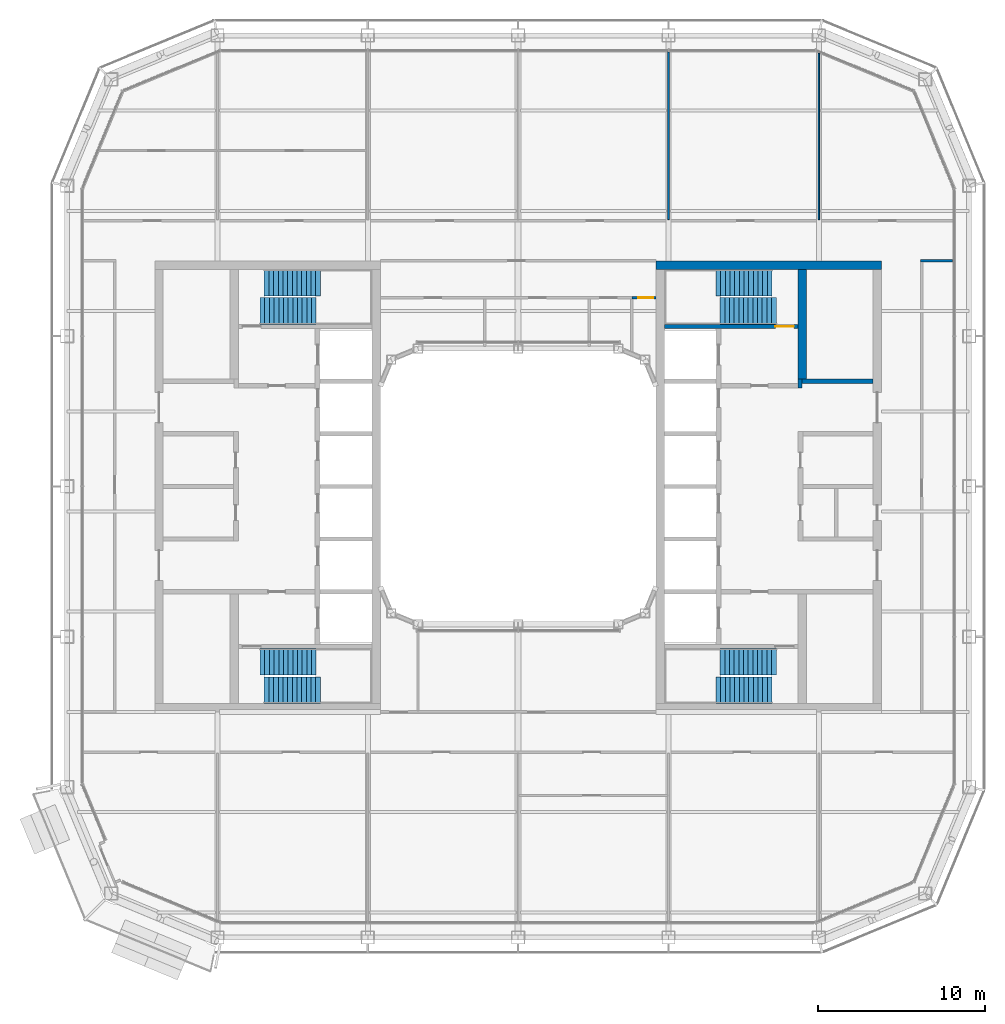
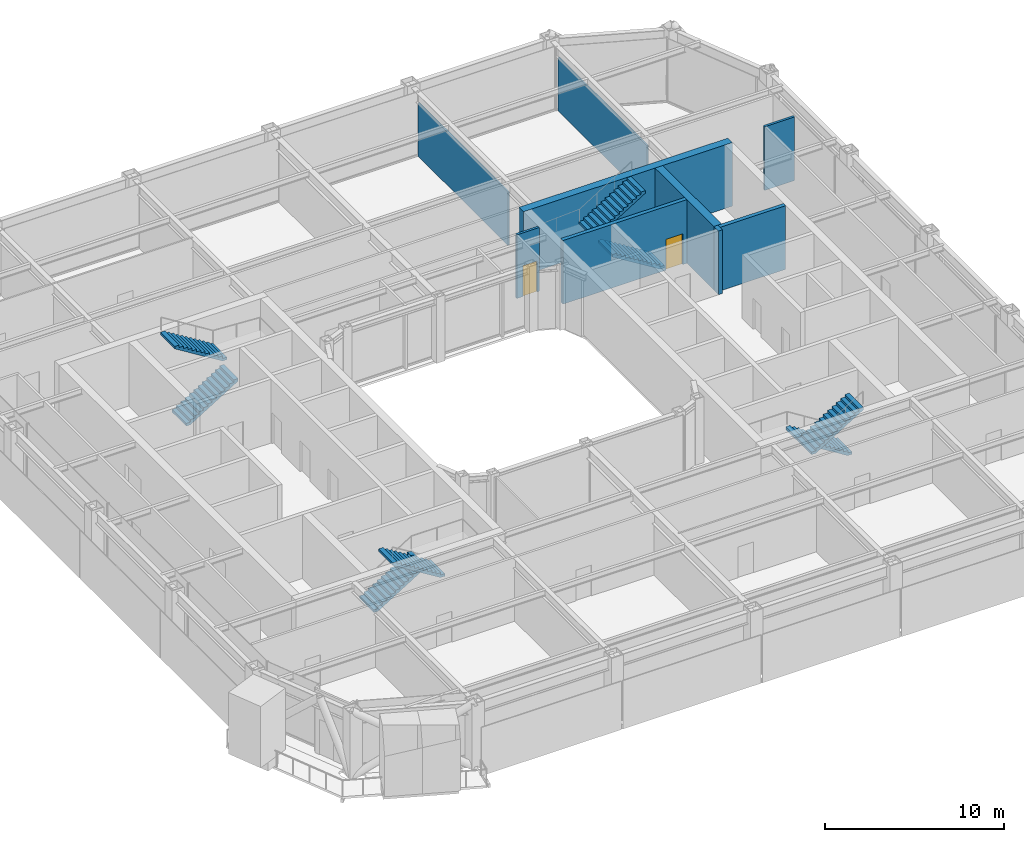
# One storey, part 16 of 23: 9 walls, 8 stair flights, 2 doors, 2 openings, 4 elements without a shape of their own.
"""IFC4 building model written with IfcOpenShell, lengths in metres."""

from ifc_helpers import new_model, si_unit, direction, frame, frame_2d, origin, place, context, subcontext, project, spatial, polyline, rectangle, outline, extrude, material, layer, layer_set, type_object, element, fill, aggregate, save


model = new_model("IFC4")

# Units and contexts
model_context = context("Model", 3, precision=1e-05, world=origin(), true_north=direction((0.0, 1.0)))
body_context = subcontext(model_context, "Body", "Model", "MODEL_VIEW")
ifc_project = project(units=[si_unit("LENGTHUNIT", "METRE"), si_unit("AREAUNIT", "SQUARE_METRE"), si_unit("VOLUMEUNIT", "CUBIC_METRE"), si_unit("PLANEANGLEUNIT", "RADIAN"), si_unit("MASSUNIT", "GRAM", prefix="KILO")], contexts=[model_context])

# Site, building, storey
site_placement = place(None, origin())
site = spatial("IfcSite", under=ifc_project, at=site_placement, CompositionType="ELEMENT")
building_placement = place(site_placement, origin())
building = spatial("IfcBuilding", under=site, at=building_placement, Name="Siwar Civic Tower", CompositionType="ELEMENT")
storey_placement = place(building_placement, frame((0.0, 0.0, 251.199951171875)))
storey = spatial("IfcBuildingStorey", under=building, at=storey_placement, Name="L54", CompositionType="ELEMENT", Elevation=251.199951171875)

# Wall, opening, door
ifc_material_1 = material(Name="Gypsum board on steel studs", Category="steel")
ifc_layer_1 = layer(ifc_material_1, 0.14990234375)
ifc_layer_set_1 = layer_set([ifc_layer_1], Name="Gypsum board on steel studs")
wall_type_1 = type_object("IfcWallType", Name="COMPARTMENT PARTITION 150 EI 60", PredefinedType="PARTITIONING", material=ifc_layer_set_1)
wall_1_placement = place(storey_placement, frame((6.800048828125, 11.300048828125, 0.0), z_axis=(0.0, 0.0, 1.0), x_axis=(1.0, 0.0, 0.0)))
wall_1 = element("IfcWall", 1, at=wall_1_placement, inside=storey, type_object=wall_type_1, Name="L54/wall/P07", PredefinedType="PARTITIONING", context=body_context, shape_type="SweptSolid", body=[
    extrude(rectangle(XDim=1.449951171875, YDim=0.14990234375, at=frame_2d((0.72509765625, 0.0))), origin(), (0.0, 0.0, 1.0), 4.35009765625),
])
opening_1_placement = place(wall_1_placement, frame((0.39990234375, 0.0, 0.0)))
opening_1 = element("IfcOpeningElement", 2, at=opening_1_placement, cuts=wall_1, Name="Opening D4", PredefinedType="OPENING", context=body_context, shape_type="SweptSolid", body=[
    extrude(rectangle(XDim=0.89990234375, YDim=2.10009765625, at=frame_2d((0.449951171875, 1.050048828125))), frame((0.0, 0.0849609375, 0.0), z_axis=(0.0, -1.0, 0.0), x_axis=(1.0, 0.0, 0.0)), (0.0, 0.0, 1.0), 0.169921875),
])
ifc_material_2 = material(Name="Timber, painted", Category="wood")
door_type_1 = type_object("IfcDoorType", Name="DOOR 900 X 2100 FD60", OperationType="SINGLE_SWING_LEFT", PredefinedType="DOOR", material=ifc_material_2)
door_1_placement = place(opening_1_placement, origin())
door_1 = element("IfcDoor", 3, at=door_1_placement, inside=storey, type_object=door_type_1, Name="L54-D22", OperationType="SINGLE_SWING_RIGHT", OverallHeight=2.10009765625, OverallWidth=0.89990234375, PredefinedType="DOOR", context=body_context, shape_type="SweptSolid", body=[
    extrude(rectangle(XDim=0.89990234375, YDim=2.10009765625, at=frame_2d((0.449951171875, 1.050048828125))), frame((0.0, 0.02490234375, 0.0), z_axis=(0.0, -1.0, 0.0), x_axis=(1.0, 0.0, 0.0)), (0.0, 0.0, 1.0), 0.050048828125),
])
fill(opening_1, door_1)

# Walls
ifc_material_3 = material(Name="Concrete C60/75", Category="concrete")
ifc_layer_2 = layer(ifc_material_3, 0.25)
ifc_layer_set_2 = layer_set([ifc_layer_2], Name="Concrete C60/75")
wall_type_2 = type_object("IfcWallType", Name="CORE-WALL-RC250", PredefinedType="SHEAR", material=ifc_layer_set_2)
wall_2_placement = place(storey_placement, frame((16.875, 5.89990234375, 0.0), z_axis=(0.0, 0.0, 1.0), x_axis=(0.0, 1.0, 0.0)))
element("IfcWall", 4, at=wall_2_placement, inside=storey, type_object=wall_type_2, Name="Core wall E", PredefinedType="SHEAR", context=body_context, shape_type="SweptSolid", body=[
    extrude(rectangle(XDim=0.525146484375, YDim=0.25, at=frame_2d((0.2626953125, 0.0))), origin(), (0.0, 0.0, 1.0), 4.35009765625),
])
wall_3_placement = place(storey_placement, frame((17.0, 6.300048828125, 0.0), z_axis=(0.0, 0.0, 1.0), x_axis=(1.0, 0.0, 0.0)))
element("IfcWall", 5, at=wall_3_placement, inside=storey, type_object=wall_type_2, Name="Core wall E", PredefinedType="SHEAR", context=body_context, shape_type="SweptSolid", body=[
    extrude(rectangle(XDim=4.25, YDim=0.25, at=frame_2d((2.125, 0.0))), origin(), (0.0, 0.0, 1.0), 4.35009765625),
])

# Wall, opening, door
wall_4_placement = place(storey_placement, frame((8.75, 9.574951171875, 0.0), z_axis=(0.0, 0.0, 1.0), x_axis=(1.0, 0.0, 0.0)))
wall_4 = element("IfcWall", 6, at=wall_4_placement, inside=storey, type_object=wall_type_2, Name="Core wall E", PredefinedType="SHEAR", context=body_context, shape_type="SweptSolid", body=[
    extrude(rectangle(XDim=8.0, YDim=0.25, at=frame_2d((4.0, 0.0))), origin(), (0.0, 0.0, 1.0), 4.35009765625),
])
opening_2_placement = place(wall_4_placement, frame((6.64990234375, 0.0, 0.0)))
opening_2 = element("IfcOpeningElement", 7, at=opening_2_placement, cuts=wall_4, Name="Opening L54-CE03", PredefinedType="OPENING", context=body_context, shape_type="SweptSolid", body=[
    extrude(rectangle(XDim=1.10009765625, YDim=2.10009765625, at=frame_2d((0.550048828125, 1.050048828125))), frame((0.0, 0.135009765625, 0.0), z_axis=(0.0, -1.0, 0.0), x_axis=(1.0, 0.0, 0.0)), (0.0, 0.0, 1.0), 0.27001953125),
])
ifc_material_4 = material(Name="Steel door leaf", Category="steel")
door_type_2 = type_object("IfcDoorType", Name="CORE-DOOR-FD60S", OperationType="SINGLE_SWING_LEFT", PredefinedType="DOOR", material=ifc_material_4)
door_2_placement = place(opening_2_placement, origin())
door_2 = element("IfcDoor", 8, at=door_2_placement, inside=storey, type_object=door_type_2, Name="Stair door L54-CE03", OperationType="SINGLE_SWING_LEFT", OverallHeight=2.10009765625, OverallWidth=1.10009765625, PredefinedType="DOOR", context=body_context, shape_type="SweptSolid", body=[
    extrude(rectangle(XDim=1.10009765625, YDim=2.10009765625, at=frame_2d((0.550048828125, 1.050048828125))), frame((0.0, 0.02490234375, 0.0), z_axis=(0.0, -1.0, 0.0), x_axis=(1.0, 0.0, 0.0)), (0.0, 0.0, 1.0), 0.050048828125),
])
fill(opening_2, door_2)

# Walls
ifc_material_5 = material(Name="Concrete C60/75", Category="concrete")
ifc_layer_3 = layer(ifc_material_5, 0.5)
ifc_layer_set_3 = layer_set([ifc_layer_3], Name="Concrete C60/75")
wall_type_3 = type_object("IfcWallType", Name="CORE-WALL-RC500", PredefinedType="SHEAR", material=ifc_layer_set_3)
wall_5_placement = place(storey_placement, frame((17.0, 6.425048828125, 0.0), z_axis=(0.0, 0.0, 1.0), x_axis=(0.0, 1.0, 0.0)))
element("IfcWall", 9, at=wall_5_placement, inside=storey, type_object=wall_type_3, Name="Core wall E", PredefinedType="SHEAR", context=body_context, shape_type="SweptSolid", body=[
    extrude(rectangle(XDim=6.574951171875, YDim=0.5, at=frame_2d((3.28759765625, 0.0))), origin(), (0.0, 0.0, 1.0), 4.35009765625),
])
wall_6_placement = place(storey_placement, frame((8.25, 13.25, 0.0), z_axis=(0.0, 0.0, 1.0), x_axis=(1.0, 0.0, 0.0)))
element("IfcWall", 10, at=wall_6_placement, inside=storey, type_object=wall_type_3, Name="Core wall E", PredefinedType="SHEAR", context=body_context, shape_type="SweptSolid", body=[
    extrude(rectangle(XDim=13.5, YDim=0.5, at=frame_2d((6.75, 0.0))), origin(), (0.0, 0.0, 1.0), 4.35009765625),
])
ifc_material_6 = material(Name="Gypsum board on steel studs", Category="steel")
ifc_layer_4 = layer(ifc_material_6, 0.14990234375)
ifc_layer_set_4 = layer_set([ifc_layer_4], Name="Gypsum board on steel studs")
wall_type_4 = type_object("IfcWallType", Name="CORRIDOR PARTITION 150 EI 30", PredefinedType="PARTITIONING", material=ifc_layer_set_4)
wall_7_placement = place(storey_placement, frame((24.074951171875, 13.5, 0.0), z_axis=(0.0, 0.0, 1.0), x_axis=(1.0, 0.0, 0.0)))
element("IfcWall", 11, at=wall_7_placement, inside=storey, type_object=wall_type_4, Name="L54/wall/P10", PredefinedType="PARTITIONING", context=body_context, shape_type="SweptSolid", body=[
    extrude(rectangle(XDim=1.93505859375, YDim=0.14990234375, at=frame_2d((0.967529296875, 0.0))), origin(), (0.0, 0.0, 1.0), 4.35009765625),
])
ifc_material_7 = material(Name="Gypsum board on steel studs", Category="steel")
ifc_layer_5 = layer(ifc_material_7, 0.10009765625)
ifc_layer_set_5 = layer_set([ifc_layer_5], Name="Gypsum board on steel studs")
wall_type_5 = type_object("IfcWallType", Name="PARTITION 100 GYPSUM", PredefinedType="PARTITIONING", material=ifc_layer_set_5)
wall_8_placement = place(storey_placement, frame((9.0, 15.97509765625, 0.0), z_axis=(0.0, 0.0, 1.0), x_axis=(0.0, 1.0, 0.0)))
element("IfcWall", 12, at=wall_8_placement, inside=storey, type_object=wall_type_5, Name="L54/wall/P26", PredefinedType="PARTITIONING", context=body_context, shape_type="SweptSolid", body=[
    extrude(rectangle(XDim=10.034912109375, YDim=0.10009765625, at=frame_2d((5.017578125, 0.0))), origin(), (0.0, 0.0, 1.0), 3.650146484375),
])
wall_9_placement = place(storey_placement, frame((18.0, 15.97509765625, 0.0), z_axis=(0.0, 0.0, 1.0), x_axis=(0.0, 1.0, 0.0)))
element("IfcWall", 13, at=wall_9_placement, inside=storey, type_object=wall_type_5, Name="L54/wall/P28", PredefinedType="PARTITIONING", context=body_context, shape_type="SweptSolid", body=[
    extrude(rectangle(XDim=9.952880859375, YDim=0.10009765625, at=frame_2d((4.9765625, 0.0))), origin(), (0.0, 0.0, 1.0), 3.650146484375),
])

# Stair, stair flights
ifc_material_8 = material(Name="Concrete C40/50", Category="concrete")
stair_type = type_object("IfcStairType", Name="CORE-STAIR", PredefinedType="TWO_STRAIGHT_RUN_STAIR", material=ifc_material_8)
stair_1_placement = place(storey_placement, origin())
stair_1 = element("IfcStair", 14, at=stair_1_placement, inside=storey, type_object=stair_type, Name="Exit stair ST1", PredefinedType="TWO_STRAIGHT_RUN_STAIR")
ifc_material_9 = material(Name="Concrete C40/50", Category="concrete")
stair_flight_type = type_object("IfcStairFlightType", Name="CORE-STAIR-FLIGHT", PredefinedType="STRAIGHT", material=ifc_material_9)
stair_flight_1_placement = place(storey_placement, frame((-15.449951171875, 10.5, 0.0), z_axis=(0.0, 0.0, 1.0), x_axis=(1.0, 0.0, 0.0)))
stair_flight_1 = element("IfcStairFlight", 15, at=stair_flight_1_placement, type_object=stair_flight_type, Name="ST1 flight 1", NumberOfRisers=13, NumberOfTreads=12, PredefinedType="STRAIGHT", RiserHeight=0.173076923, TreadLength=0.28, context=body_context, shape_type="SweptSolid", body=[
    extrude(outline(polyline([(0.0, 0.0), (0.0, 0.173095703125), (0.280029296875, 0.173095703125), (0.280029296875, 0.34619140625), (0.56005859375, 0.34619140625), (0.56005859375, 0.519287109375), (0.840087890625, 0.519287109375), (0.840087890625, 0.6923828125), (1.1201171875, 0.6923828125), (1.1201171875, 0.865478515625), (1.39990234375, 0.865478515625), (1.39990234375, 1.03857421875), (1.679931640625, 1.03857421875), (1.679931640625, 1.21142578125), (1.9599609375, 1.21142578125), (1.9599609375, 1.384521484375), (2.239990234375, 1.384521484375), (2.239990234375, 1.5576171875), (2.52001953125, 1.5576171875), (2.52001953125, 1.730712890625), (2.800048828125, 1.730712890625), (2.800048828125, 1.90380859375), (3.080078125, 1.90380859375), (3.080078125, 2.076904296875), (3.360107421875, 2.076904296875), (3.360107421875, 2.25), (3.360107421875, 1.900634765625), (0.28515625, 0.0), (0.0, 0.0)])), frame((0.0, 0.800048828125, 0.0), z_axis=(0.0, -1.0, 0.0), x_axis=(1.0, 0.0, 0.0)), (0.0, 0.0, 1.0), 1.60009765625),
])
stair_flight_2_placement = place(storey_placement, frame((-11.840087890625, 12.199951171875, 2.25), z_axis=(0.0, 0.0, 1.0), x_axis=(-1.0, 0.0, 0.0)))
stair_flight_2 = element("IfcStairFlight", 16, at=stair_flight_2_placement, type_object=stair_flight_type, Name="ST1 flight 2", NumberOfRisers=13, NumberOfTreads=12, PredefinedType="STRAIGHT", RiserHeight=0.173076923, TreadLength=0.28, context=body_context, shape_type="SweptSolid", body=[
    extrude(outline(polyline([(0.0, 0.0), (0.0, 0.173095703125), (0.280029296875, 0.173095703125), (0.280029296875, 0.34619140625), (0.56005859375, 0.34619140625), (0.56005859375, 0.519287109375), (0.840087890625, 0.519287109375), (0.840087890625, 0.6923828125), (1.1201171875, 0.6923828125), (1.1201171875, 0.865478515625), (1.39990234375, 0.865478515625), (1.39990234375, 1.03857421875), (1.679931640625, 1.03857421875), (1.679931640625, 1.21142578125), (1.9599609375, 1.21142578125), (1.9599609375, 1.384521484375), (2.239990234375, 1.384521484375), (2.239990234375, 1.5576171875), (2.52001953125, 1.5576171875), (2.52001953125, 1.730712890625), (2.800048828125, 1.730712890625), (2.800048828125, 1.90380859375), (3.080078125, 1.90380859375), (3.080078125, 2.076904296875), (3.360107421875, 2.076904296875), (3.360107421875, 2.25), (3.360107421875, 1.900634765625), (0.28515625, 0.0), (0.0, 0.0)])), frame((0.0, 0.800048828125, 0.0), z_axis=(0.0, -1.0, 0.0), x_axis=(1.0, 0.0, 0.0)), (0.0, 0.0, 1.0), 1.60009765625),
])
aggregate(stair_1, [stair_flight_1, stair_flight_2])

stair_2_placement = place(storey_placement, origin())
stair_2 = element("IfcStair", 17, at=stair_2_placement, inside=storey, type_object=stair_type, Name="Exit stair ST2", PredefinedType="TWO_STRAIGHT_RUN_STAIR")
stair_flight_3_placement = place(storey_placement, frame((-15.449951171875, -10.5, 0.0), z_axis=(0.0, 0.0, 1.0), x_axis=(1.0, 0.0, 0.0)))
stair_flight_3 = element("IfcStairFlight", 18, at=stair_flight_3_placement, type_object=stair_flight_type, Name="ST2 flight 1", NumberOfRisers=13, NumberOfTreads=12, PredefinedType="STRAIGHT", RiserHeight=0.173076923, TreadLength=0.28, context=body_context, shape_type="SweptSolid", body=[
    extrude(outline(polyline([(0.0, 0.0), (0.0, 0.173095703125), (0.280029296875, 0.173095703125), (0.280029296875, 0.34619140625), (0.56005859375, 0.34619140625), (0.56005859375, 0.519287109375), (0.840087890625, 0.519287109375), (0.840087890625, 0.6923828125), (1.1201171875, 0.6923828125), (1.1201171875, 0.865478515625), (1.39990234375, 0.865478515625), (1.39990234375, 1.03857421875), (1.679931640625, 1.03857421875), (1.679931640625, 1.21142578125), (1.9599609375, 1.21142578125), (1.9599609375, 1.384521484375), (2.239990234375, 1.384521484375), (2.239990234375, 1.5576171875), (2.52001953125, 1.5576171875), (2.52001953125, 1.730712890625), (2.800048828125, 1.730712890625), (2.800048828125, 1.90380859375), (3.080078125, 1.90380859375), (3.080078125, 2.076904296875), (3.360107421875, 2.076904296875), (3.360107421875, 2.25), (3.360107421875, 1.900634765625), (0.28515625, 0.0), (0.0, 0.0)])), frame((0.0, 0.800048828125, 0.0), z_axis=(0.0, -1.0, 0.0), x_axis=(1.0, 0.0, 0.0)), (0.0, 0.0, 1.0), 1.60009765625),
])
stair_flight_4_placement = place(storey_placement, frame((-11.840087890625, -12.199951171875, 2.25), z_axis=(0.0, 0.0, 1.0), x_axis=(-1.0, 0.0, 0.0)))
stair_flight_4 = element("IfcStairFlight", 19, at=stair_flight_4_placement, type_object=stair_flight_type, Name="ST2 flight 2", NumberOfRisers=13, NumberOfTreads=12, PredefinedType="STRAIGHT", RiserHeight=0.173076923, TreadLength=0.28, context=body_context, shape_type="SweptSolid", body=[
    extrude(outline(polyline([(0.0, 0.0), (0.0, 0.173095703125), (0.280029296875, 0.173095703125), (0.280029296875, 0.34619140625), (0.56005859375, 0.34619140625), (0.56005859375, 0.519287109375), (0.840087890625, 0.519287109375), (0.840087890625, 0.6923828125), (1.1201171875, 0.6923828125), (1.1201171875, 0.865478515625), (1.39990234375, 0.865478515625), (1.39990234375, 1.03857421875), (1.679931640625, 1.03857421875), (1.679931640625, 1.21142578125), (1.9599609375, 1.21142578125), (1.9599609375, 1.384521484375), (2.239990234375, 1.384521484375), (2.239990234375, 1.5576171875), (2.52001953125, 1.5576171875), (2.52001953125, 1.730712890625), (2.800048828125, 1.730712890625), (2.800048828125, 1.90380859375), (3.080078125, 1.90380859375), (3.080078125, 2.076904296875), (3.360107421875, 2.076904296875), (3.360107421875, 2.25), (3.360107421875, 1.900634765625), (0.28515625, 0.0), (0.0, 0.0)])), frame((0.0, 0.800048828125, 0.0), z_axis=(0.0, -1.0, 0.0), x_axis=(1.0, 0.0, 0.0)), (0.0, 0.0, 1.0), 1.60009765625),
])
aggregate(stair_2, [stair_flight_3, stair_flight_4])

stair_3_placement = place(storey_placement, origin())
stair_3 = element("IfcStair", 20, at=stair_3_placement, inside=storey, type_object=stair_type, Name="Exit stair ST3", PredefinedType="TWO_STRAIGHT_RUN_STAIR")
stair_flight_5_placement = place(storey_placement, frame((15.449951171875, 10.5, 0.0), z_axis=(0.0, 0.0, 1.0), x_axis=(-1.0, 0.0, 0.0)))
stair_flight_5 = element("IfcStairFlight", 21, at=stair_flight_5_placement, type_object=stair_flight_type, Name="ST3 flight 1", NumberOfRisers=13, NumberOfTreads=12, PredefinedType="STRAIGHT", RiserHeight=0.173076923, TreadLength=0.28, context=body_context, shape_type="SweptSolid", body=[
    extrude(outline(polyline([(0.0, 0.0), (0.0, 0.173095703125), (0.280029296875, 0.173095703125), (0.280029296875, 0.34619140625), (0.56005859375, 0.34619140625), (0.56005859375, 0.519287109375), (0.840087890625, 0.519287109375), (0.840087890625, 0.6923828125), (1.1201171875, 0.6923828125), (1.1201171875, 0.865478515625), (1.39990234375, 0.865478515625), (1.39990234375, 1.03857421875), (1.679931640625, 1.03857421875), (1.679931640625, 1.21142578125), (1.9599609375, 1.21142578125), (1.9599609375, 1.384521484375), (2.239990234375, 1.384521484375), (2.239990234375, 1.5576171875), (2.52001953125, 1.5576171875), (2.52001953125, 1.730712890625), (2.800048828125, 1.730712890625), (2.800048828125, 1.90380859375), (3.080078125, 1.90380859375), (3.080078125, 2.076904296875), (3.360107421875, 2.076904296875), (3.360107421875, 2.25), (3.360107421875, 1.900634765625), (0.28515625, 0.0), (0.0, 0.0)])), frame((0.0, 0.800048828125, 0.0), z_axis=(0.0, -1.0, 0.0), x_axis=(1.0, 0.0, 0.0)), (0.0, 0.0, 1.0), 1.60009765625),
])
stair_flight_6_placement = place(storey_placement, frame((11.840087890625, 12.199951171875, 2.25), z_axis=(0.0, 0.0, 1.0), x_axis=(1.0, 0.0, 0.0)))
stair_flight_6 = element("IfcStairFlight", 22, at=stair_flight_6_placement, type_object=stair_flight_type, Name="ST3 flight 2", NumberOfRisers=13, NumberOfTreads=12, PredefinedType="STRAIGHT", RiserHeight=0.173076923, TreadLength=0.28, context=body_context, shape_type="SweptSolid", body=[
    extrude(outline(polyline([(0.0, 0.0), (0.0, 0.173095703125), (0.280029296875, 0.173095703125), (0.280029296875, 0.34619140625), (0.56005859375, 0.34619140625), (0.56005859375, 0.519287109375), (0.840087890625, 0.519287109375), (0.840087890625, 0.6923828125), (1.1201171875, 0.6923828125), (1.1201171875, 0.865478515625), (1.39990234375, 0.865478515625), (1.39990234375, 1.03857421875), (1.679931640625, 1.03857421875), (1.679931640625, 1.21142578125), (1.9599609375, 1.21142578125), (1.9599609375, 1.384521484375), (2.239990234375, 1.384521484375), (2.239990234375, 1.5576171875), (2.52001953125, 1.5576171875), (2.52001953125, 1.730712890625), (2.800048828125, 1.730712890625), (2.800048828125, 1.90380859375), (3.080078125, 1.90380859375), (3.080078125, 2.076904296875), (3.360107421875, 2.076904296875), (3.360107421875, 2.25), (3.360107421875, 1.900634765625), (0.28515625, 0.0), (0.0, 0.0)])), frame((0.0, 0.800048828125, 0.0), z_axis=(0.0, -1.0, 0.0), x_axis=(1.0, 0.0, 0.0)), (0.0, 0.0, 1.0), 1.60009765625),
])
aggregate(stair_3, [stair_flight_5, stair_flight_6])

stair_4_placement = place(storey_placement, origin())
stair_4 = element("IfcStair", 23, at=stair_4_placement, inside=storey, type_object=stair_type, Name="Exit stair ST4", PredefinedType="TWO_STRAIGHT_RUN_STAIR")
stair_flight_7_placement = place(storey_placement, frame((15.449951171875, -10.5, 0.0), z_axis=(0.0, 0.0, 1.0), x_axis=(-1.0, 0.0, 0.0)))
stair_flight_7 = element("IfcStairFlight", 24, at=stair_flight_7_placement, type_object=stair_flight_type, Name="ST4 flight 1", NumberOfRisers=13, NumberOfTreads=12, PredefinedType="STRAIGHT", RiserHeight=0.173076923, TreadLength=0.28, context=body_context, shape_type="SweptSolid", body=[
    extrude(outline(polyline([(0.0, 0.0), (0.0, 0.173095703125), (0.280029296875, 0.173095703125), (0.280029296875, 0.34619140625), (0.56005859375, 0.34619140625), (0.56005859375, 0.519287109375), (0.840087890625, 0.519287109375), (0.840087890625, 0.6923828125), (1.1201171875, 0.6923828125), (1.1201171875, 0.865478515625), (1.39990234375, 0.865478515625), (1.39990234375, 1.03857421875), (1.679931640625, 1.03857421875), (1.679931640625, 1.21142578125), (1.9599609375, 1.21142578125), (1.9599609375, 1.384521484375), (2.239990234375, 1.384521484375), (2.239990234375, 1.5576171875), (2.52001953125, 1.5576171875), (2.52001953125, 1.730712890625), (2.800048828125, 1.730712890625), (2.800048828125, 1.90380859375), (3.080078125, 1.90380859375), (3.080078125, 2.076904296875), (3.360107421875, 2.076904296875), (3.360107421875, 2.25), (3.360107421875, 1.900634765625), (0.28515625, 0.0), (0.0, 0.0)])), frame((0.0, 0.800048828125, 0.0), z_axis=(0.0, -1.0, 0.0), x_axis=(1.0, 0.0, 0.0)), (0.0, 0.0, 1.0), 1.60009765625),
])
stair_flight_8_placement = place(storey_placement, frame((11.840087890625, -12.199951171875, 2.25), z_axis=(0.0, 0.0, 1.0), x_axis=(1.0, 0.0, 0.0)))
stair_flight_8 = element("IfcStairFlight", 25, at=stair_flight_8_placement, type_object=stair_flight_type, Name="ST4 flight 2", NumberOfRisers=13, NumberOfTreads=12, PredefinedType="STRAIGHT", RiserHeight=0.173076923, TreadLength=0.28, context=body_context, shape_type="SweptSolid", body=[
    extrude(outline(polyline([(0.0, 0.0), (0.0, 0.173095703125), (0.280029296875, 0.173095703125), (0.280029296875, 0.34619140625), (0.56005859375, 0.34619140625), (0.56005859375, 0.519287109375), (0.840087890625, 0.519287109375), (0.840087890625, 0.6923828125), (1.1201171875, 0.6923828125), (1.1201171875, 0.865478515625), (1.39990234375, 0.865478515625), (1.39990234375, 1.03857421875), (1.679931640625, 1.03857421875), (1.679931640625, 1.21142578125), (1.9599609375, 1.21142578125), (1.9599609375, 1.384521484375), (2.239990234375, 1.384521484375), (2.239990234375, 1.5576171875), (2.52001953125, 1.5576171875), (2.52001953125, 1.730712890625), (2.800048828125, 1.730712890625), (2.800048828125, 1.90380859375), (3.080078125, 1.90380859375), (3.080078125, 2.076904296875), (3.360107421875, 2.076904296875), (3.360107421875, 2.25), (3.360107421875, 1.900634765625), (0.28515625, 0.0), (0.0, 0.0)])), frame((0.0, 0.800048828125, 0.0), z_axis=(0.0, -1.0, 0.0), x_axis=(1.0, 0.0, 0.0)), (0.0, 0.0, 1.0), 1.60009765625),
])
aggregate(stair_4, [stair_flight_7, stair_flight_8])

save(model, "model.ifc")
